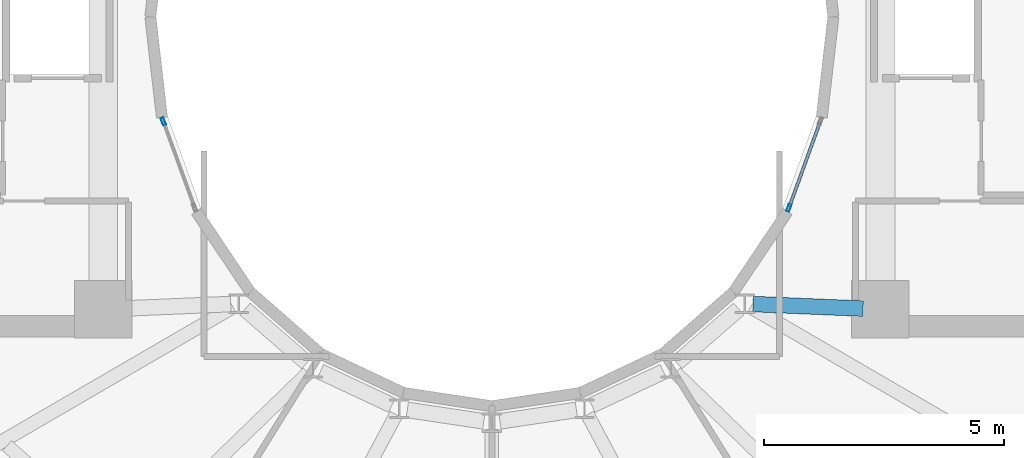
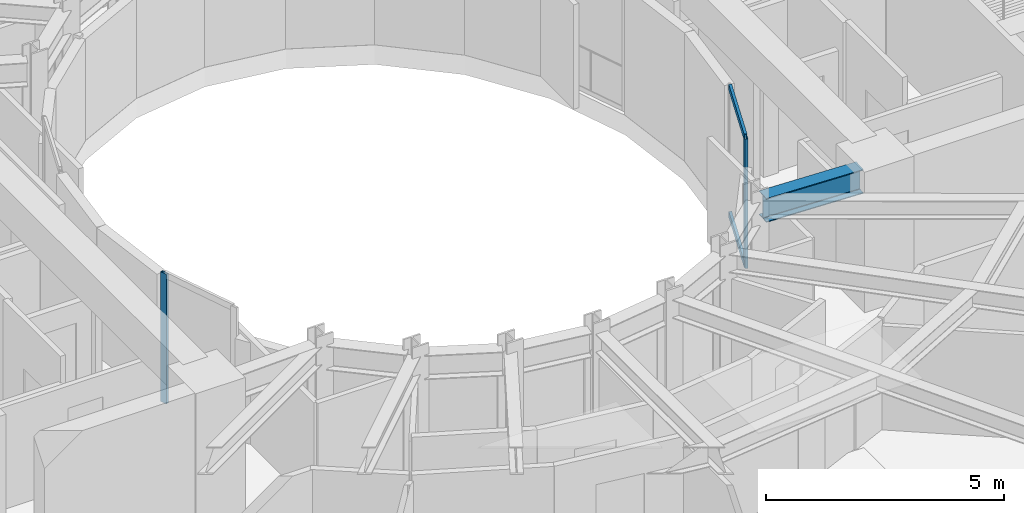
# One storey, part 6 of 25: 4 members, 1 beam, 2 elements without a shape of their own.
"""IFC4 building model written with IfcOpenShell, lengths in metres."""

from ifc_helpers import new_model, si_unit, direction, frame, origin, origin_2d, place, context, subcontext, project, spatial, hollow_rectangle, i_section, extrude, material, layer, layer_set, material_profile, profile_set, type_object, element, aggregate, save


model = new_model("IFC4")

# Units and contexts
model_context = context("Model", 3, precision=1e-05, world=origin(), true_north=direction((0.0, 1.0)))
body_context = subcontext(model_context, "Body", "Model", "MODEL_VIEW")
ifc_project = project(units=[si_unit("LENGTHUNIT", "METRE"), si_unit("AREAUNIT", "SQUARE_METRE"), si_unit("VOLUMEUNIT", "CUBIC_METRE"), si_unit("PLANEANGLEUNIT", "RADIAN"), si_unit("MASSUNIT", "GRAM", prefix="KILO")], contexts=[model_context])

# Site, building, storey
site_placement = place(None, origin())
site = spatial("IfcSite", under=ifc_project, at=site_placement, CompositionType="ELEMENT")
building_placement = place(site_placement, origin())
building = spatial("IfcBuilding", under=site, at=building_placement, Name="Solvane Sanctuary Tower", CompositionType="ELEMENT")
storey_placement = place(building_placement, frame((0.0, 0.0, 238.800048828125)))
storey = spatial("IfcBuildingStorey", under=building, at=storey_placement, Name="L73", CompositionType="ELEMENT", Elevation=238.800048828125)

# Beam
ifc_material_1 = material(Name="Steel ASTM A992 Grade 50", Category="steel")
ifc_material_profile_1 = material_profile(ifc_material_1, i_section(OverallWidth=0.324951171875, OverallDepth=0.615966796875, WebThickness=0.013916015625, FlangeThickness=0.021484375, FilletRadius=0.01611328125, at=origin_2d()), Name="W24X117")
ifc_profile_set_1 = profile_set([ifc_material_profile_1], Name="Steel ASTM A992 Grade 50")
beam_type = type_object("IfcBeamType", Name="Beam B-RING-IN2 W24X117", PredefinedType="BEAM", material=ifc_profile_set_1)
beam_placement = place(storey_placement, frame((37.44482421875, 17.0107421875, 3.010009765625), z_axis=(0.9991319677, -0.04165706566, 0.0), x_axis=(0.04165706566, 0.9991319677, 0.0)))
element("IfcBeam", 1, at=beam_placement, inside=storey, type_object=beam_type, Name="L73 Inner Light-Well Ring Beam IC14-CE1", PredefinedType="BEAM", context=body_context, shape_type="SweptSolid", body=[
    extrude(i_section(OverallWidth=0.324951171875, OverallDepth=0.615966796875, WebThickness=0.013916015625, FlangeThickness=0.021484375, FilletRadius=0.01611328125, at=origin_2d()), origin(), (0.0, 0.0, 1.0), 2.29736328125),
])

# Curtain wall, member
ifc_material_2 = material(Name="Anodised Aluminium 6063-T6", Category="aluminium")
ifc_layer = layer(ifc_material_2, 0.199951171875, Name="Anodised Aluminium 6063-T6")
ifc_layer_set = layer_set([ifc_layer], Name="Anodised Aluminium 6063-T6")
curtain_wall_type = type_object("IfcCurtainWallType", Name="Curtain Wall CW-WELL", PredefinedType="NOTDEFINED", material=ifc_layer_set)
curtain_wall_1_placement = place(storey_placement, origin())
curtain_wall_1 = element("IfcCurtainWall", 2, at=curtain_wall_1_placement, inside=storey, type_object=curtain_wall_type, Name="L73 Light-Well Glazed Curtain Wall 13", PredefinedType="NOTDEFINED")
ifc_material_profile_2 = material_profile(ifc_material_2, hollow_rectangle(XDim=0.06494140625, YDim=0.159912109375, WallThickness=0.00341796875, at=origin_2d()), Name="ALU160X65X3.5")
ifc_profile_set_2 = profile_set([ifc_material_profile_2], Name="Anodised Aluminium 6063-T6")
member_type_1 = type_object("IfcMemberType", Name="Member M-CW-MUL-2 ALU160X65X3.5", PredefinedType="MULLION", material=ifc_profile_set_2)
member_1_placement = place(storey_placement, frame((25.15087890625, 20.82080078125, 0.0), z_axis=(0.0, 0.0, 1.0), x_axis=(0.939933181429, 0.341358483781, 0.0)))
member_1 = element("IfcMember", 3, at=member_1_placement, type_object=member_type_1, Name="CW-WELL mullion 1", PredefinedType="MULLION", context=body_context, shape_type="SweptSolid", body=[
    extrude(hollow_rectangle(XDim=0.06494140625, YDim=0.159912109375, WallThickness=0.00341796875, at=origin_2d()), origin(), (0.0, 0.0, 1.0), 3.320068359375),
])
aggregate(curtain_wall_1, [member_1])

# Curtain wall, members
curtain_wall_2_placement = place(storey_placement, origin())
curtain_wall_2 = element("IfcCurtainWall", 4, at=curtain_wall_2_placement, inside=storey, type_object=curtain_wall_type, Name="L73 Light-Well Glazed Curtain Wall 22", PredefinedType="NOTDEFINED")
member_2_placement = place(storey_placement, frame((38.1943359375, 19.017578125, 0.0), z_axis=(0.0, 0.0, 1.0), x_axis=(-0.939933181429, 0.341358483781, 0.0)))
member_2 = element("IfcMember", 5, at=member_2_placement, type_object=member_type_1, Name="CW-WELL mullion 1", PredefinedType="MULLION", context=body_context, shape_type="SweptSolid", body=[
    extrude(hollow_rectangle(XDim=0.06494140625, YDim=0.159912109375, WallThickness=0.00341796875, at=origin_2d()), origin(), (0.0, 0.0, 1.0), 3.320068359375),
])
ifc_material_profile_3 = material_profile(ifc_material_2, hollow_rectangle(XDim=0.06494140625, YDim=0.159912109375, WallThickness=0.00341796875, at=origin_2d()), Name="ALU160X65X3.5")
ifc_profile_set_3 = profile_set([ifc_material_profile_3], Name="Anodised Aluminium 6063-T6")
member_type_2 = type_object("IfcMemberType", Name="Member M-CW-TRN-1 ALU160X65X3.5", PredefinedType="USERDEFINED", material=ifc_profile_set_3)
member_3_placement = place(storey_placement, frame((38.205322265625, 19.048095703125, 0.032470703125), z_axis=(0.341404620561, 0.939916424508, 0.0), x_axis=(-0.939916424508, 0.341404620561, 0.0)))
member_3 = element("IfcMember", 6, at=member_3_placement, type_object=member_type_2, Name="CW-WELL transom 1.1", ObjectType="TRANSOM", PredefinedType="USERDEFINED", context=body_context, shape_type="SweptSolid", body=[
    extrude(hollow_rectangle(XDim=0.06494140625, YDim=0.159912109375, WallThickness=0.00341796875, at=origin_2d()), origin(), (0.0, 0.0, 1.0), 1.853515625),
])
member_4_placement = place(storey_placement, frame((38.205322265625, 19.048095703125, 3.287353515625), z_axis=(0.341404620561, 0.939916424508, 0.0), x_axis=(-0.939916424508, 0.341404620561, 0.0)))
member_4 = element("IfcMember", 7, at=member_4_placement, type_object=member_type_2, Name="CW-WELL transom 1.2", ObjectType="TRANSOM", PredefinedType="USERDEFINED", context=body_context, shape_type="SweptSolid", body=[
    extrude(hollow_rectangle(XDim=0.06494140625, YDim=0.159912109375, WallThickness=0.00341796875, at=origin_2d()), origin(), (0.0, 0.0, 1.0), 1.853515625),
])
aggregate(curtain_wall_2, [member_2, member_3, member_4])

save(model, "model.ifc")
